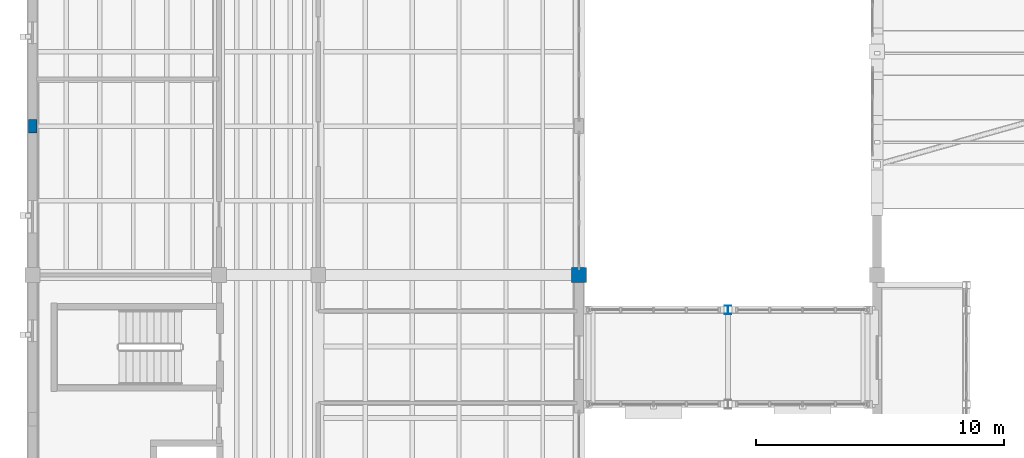
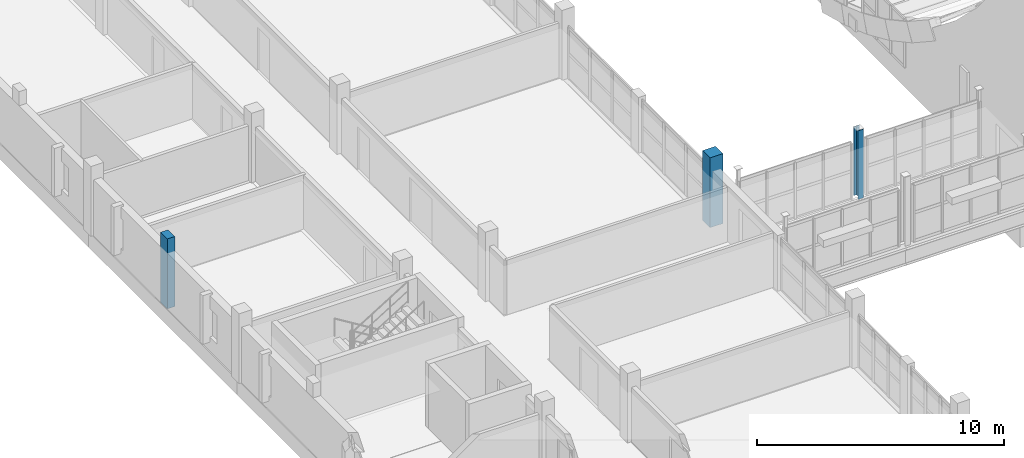
# One storey, part 2 of 77: 3 columns.
"""IFC4 building model written with IfcOpenShell, lengths in metres."""

from ifc_helpers import new_model, si_unit, direction, frame, origin, origin_2d, place, context, subcontext, project, spatial, rectangle, i_section, extrude, material, material_profile, profile_set, type_object, element, save


model = new_model("IFC4")

# Units and contexts
model_context = context("Model", 3, precision=1e-05, world=origin(), true_north=direction((0.0, 1.0)))
body_context = subcontext(model_context, "Body", "Model", "MODEL_VIEW")
ifc_project = project(units=[si_unit("LENGTHUNIT", "METRE"), si_unit("AREAUNIT", "SQUARE_METRE"), si_unit("VOLUMEUNIT", "CUBIC_METRE"), si_unit("PLANEANGLEUNIT", "RADIAN"), si_unit("MASSUNIT", "GRAM", prefix="KILO")], contexts=[model_context])

# Site, building, storey
site_placement = place(None, origin())
site = spatial("IfcSite", under=ifc_project, at=site_placement, CompositionType="ELEMENT")
building_placement = place(site_placement, origin())
building = spatial("IfcBuilding", under=site, at=building_placement, Name="Trellovar Central Fire Station", CompositionType="ELEMENT")
storey_placement = place(building_placement, frame((0.0, 0.0, 5.85009765625)))
storey = spatial("IfcBuildingStorey", under=building, at=storey_placement, Name="L02", CompositionType="ELEMENT", Elevation=5.85009765625)

# Columns
ifc_material_1 = material(Name="Concrete C40/50", Category="concrete")
ifc_material_profile_1 = material_profile(ifc_material_1, rectangle(XDim=0.60009765625, YDim=0.60009765625, at=origin_2d()), Name="RC600X600")
ifc_profile_set_1 = profile_set([ifc_material_profile_1], Name="Concrete C40/50")
column_type_1 = type_object("IfcColumnType", Name="COL-C6", PredefinedType="COLUMN", material=ifc_profile_set_1)
column_1_placement = place(storey_placement, frame((23.0, 29.0, 0.0), z_axis=(0.0, 0.0, 1.0), x_axis=(1.0, 0.0, 0.0)))
element("IfcColumn", 1, at=column_1_placement, inside=storey, type_object=column_type_1, Name="L02 column C-6", PredefinedType="COLUMN", context=body_context, shape_type="SweptSolid", body=[
    extrude(rectangle(XDim=0.60009765625, YDim=0.60009765625, at=origin_2d()), origin(), (0.0, 0.0, 1.0), 3.449951171875),
])
ifc_material_2 = material(Name="Concrete C40/50", Category="concrete")
ifc_material_profile_2 = material_profile(ifc_material_2, rectangle(XDim=0.35009765625, YDim=0.550048828125, at=origin_2d()), Name="RC350X550")
ifc_profile_set_2 = profile_set([ifc_material_profile_2], Name="Concrete C40/50")
column_type_2 = type_object("IfcColumnType", Name="COL-PIL2", PredefinedType="PILASTER", material=ifc_profile_set_2)
column_2_placement = place(storey_placement, frame((1.0, 35.0, 0.0), z_axis=(0.0, 0.0, 1.0), x_axis=(1.0, 0.0, 0.0)))
element("IfcColumn", 2, at=column_2_placement, inside=storey, type_object=column_type_2, Name="V4 west projecting sun-pier L02-3", PredefinedType="PILASTER", context=body_context, shape_type="SweptSolid", body=[
    extrude(rectangle(XDim=0.35009765625, YDim=0.550048828125, at=origin_2d()), origin(), (0.0, 0.0, 1.0), 3.449951171875),
])
ifc_material_3 = material(Name="Steel ASTM A992 Grade 50", Category="steel")
ifc_material_profile_3 = material_profile(ifc_material_3, i_section(OverallWidth=0.253662109375, OverallDepth=0.352783203125, WebThickness=0.009521484375, FlangeThickness=0.016357421875, FilletRadius=0.01513671875, at=origin_2d()), Name="W14X61")
ifc_profile_set_3 = profile_set([ifc_material_profile_3], Name="Steel ASTM A992 Grade 50")
column_type_3 = type_object("IfcColumnType", Name="COL-SC2", PredefinedType="COLUMN", material=ifc_profile_set_3)
column_3_placement = place(storey_placement, frame((29.0, 27.60009765625, 0.0), z_axis=(0.0, 0.0, 1.0), x_axis=(1.0, 0.0, 0.0)))
element("IfcColumn", 3, at=column_3_placement, inside=storey, type_object=column_type_3, Name="Cloister bridge central vault post L02", PredefinedType="COLUMN", context=body_context, shape_type="SweptSolid", body=[
    extrude(i_section(OverallWidth=0.253662109375, OverallDepth=0.352783203125, WebThickness=0.009521484375, FlangeThickness=0.016357421875, FilletRadius=0.01513671875, at=origin_2d()), origin(), (0.0, 0.0, 1.0), 3.39990234375),
])

save(model, "model.ifc")
